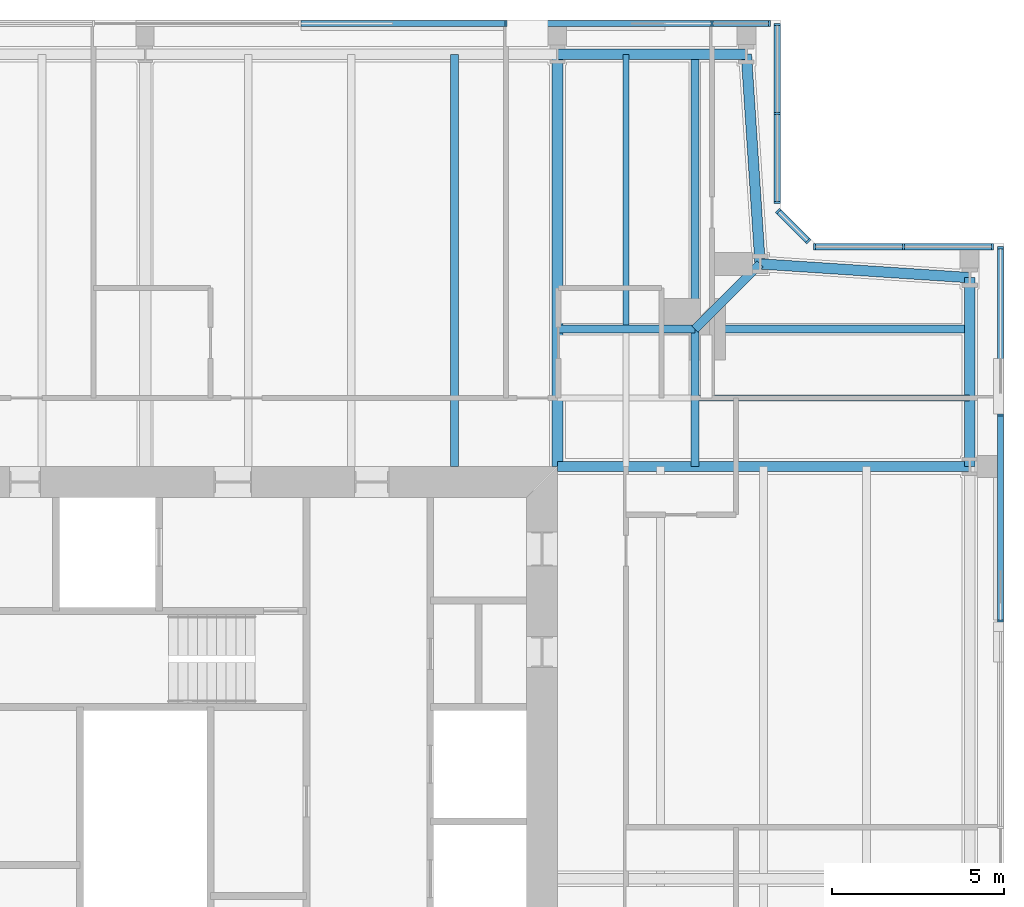
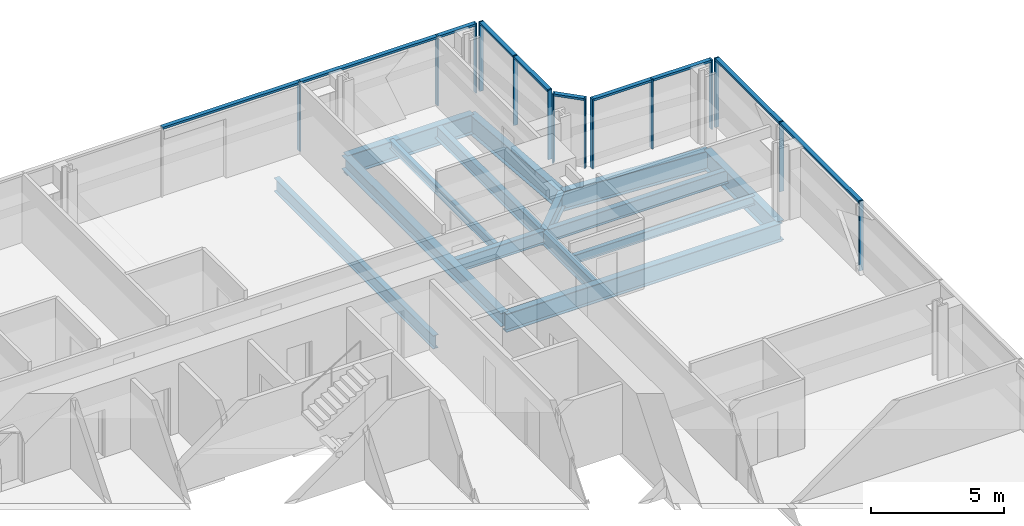
# One storey, part 9 of 18: 24 members, 14 beams, 5 elements without a shape of their own.
"""IFC4 building model written with IfcOpenShell, lengths in metres."""

from ifc_helpers import new_model, si_unit, direction, frame, origin, origin_2d, place, context, subcontext, project, spatial, rectangle, i_section, extrude, material, material_profile, profile_set, type_object, element, aggregate, save


model = new_model("IFC4")

# Units and contexts
model_context = context("Model", 3, precision=1e-05, world=origin(), true_north=direction((0.0, 1.0)))
body_context = subcontext(model_context, "Body", "Model", "MODEL_VIEW")
ifc_project = project(units=[si_unit("LENGTHUNIT", "METRE"), si_unit("AREAUNIT", "SQUARE_METRE"), si_unit("VOLUMEUNIT", "CUBIC_METRE"), si_unit("PLANEANGLEUNIT", "RADIAN"), si_unit("MASSUNIT", "GRAM", prefix="KILO")], contexts=[model_context])

# Site, building, storey
site_placement = place(None, origin())
site = spatial("IfcSite", under=ifc_project, at=site_placement, CompositionType="ELEMENT")
building_placement = place(site_placement, origin())
building = spatial("IfcBuilding", under=site, at=building_placement, Name="Fenwick Lantern Interchange", CompositionType="ELEMENT")
storey_placement = place(building_placement, frame((0.0, 0.0, 293.39990234375)))
storey = spatial("IfcBuildingStorey", under=building, at=storey_placement, Name="L71", CompositionType="ELEMENT", Elevation=293.39990234375)

# Beams
ifc_material_1 = material(Name="Steel ASTM A992 Grade 50", Category="steel")
ifc_material_profile_1 = material_profile(ifc_material_1, i_section(OverallWidth=0.3046875, OverallDepth=0.911865234375, WebThickness=0.015869140625, FlangeThickness=0.02392578125, at=origin_2d()), Name="W36X150")
ifc_profile_set_1 = profile_set([ifc_material_profile_1], Name="Steel ASTM A992 Grade 50")
beam_type_1 = type_object("IfcBeamType", Name="EDGE BEAM W36X150", PredefinedType="SPANDREL", material=ifc_profile_set_1)
beam_1_placement = place(storey_placement, frame((49.0, 37.0, -0.605712890625), z_axis=(0.0, 1.0, 0.0), x_axis=(-1.0, 0.0, 0.0)))
element("IfcBeam", 1, at=beam_1_placement, inside=storey, type_object=beam_type_1, Name="L71/FR/E/EB4", PredefinedType="SPANDREL", context=body_context, shape_type="SweptSolid", body=[
    extrude(i_section(OverallWidth=0.3046875, OverallDepth=0.911865234375, WebThickness=0.015869140625, FlangeThickness=0.02392578125, at=origin_2d()), origin(), (0.0, 0.0, 1.0), 5.5),
])
for number, where, z_axis, x_axis, name in (
    (2, (49.0, 42.5, -0.605712890625), (-0.997858060337, 0.065416293237, 0.0), (-0.065416293237, -0.997858060337, 0.0), "L71/FR/E/EBR1"),
    (3, (42.89990234375, 42.89990234375, -0.605712890625), (-0.065416293237, 0.997858060337, 0.0), (-0.997858060337, -0.065416293237, 0.0), "L71/FR/E/EBR2"),
):
    element("IfcBeam", number, at=place(storey_placement, frame(where, z_axis=z_axis, x_axis=x_axis)), inside=storey, type_object=beam_type_1, Name=name, PredefinedType="SPANDREL", context=body_context, shape_type="SweptSolid", body=[
        extrude(i_section(OverallWidth=0.3046875, OverallDepth=0.911865234375, WebThickness=0.015869140625, FlangeThickness=0.02392578125, at=origin_2d()), origin(), (0.0, 0.0, 1.0), 6.11328125),
    ])
beam_2_placement = place(storey_placement, frame((42.5, 49.0, -0.605712890625), z_axis=(-1.0, 0.0, 0.0), x_axis=(0.0, -1.0, 0.0)))
element("IfcBeam", 4, at=beam_2_placement, inside=storey, type_object=beam_type_1, Name="L71/FR/N/EB1", PredefinedType="SPANDREL", context=body_context, shape_type="SweptSolid", body=[
    extrude(i_section(OverallWidth=0.3046875, OverallDepth=0.911865234375, WebThickness=0.015869140625, FlangeThickness=0.02392578125, at=origin_2d()), origin(), (0.0, 0.0, 1.0), 5.5),
])
ifc_material_profile_2 = material_profile(ifc_material_1, i_section(OverallWidth=0.22900390625, OverallDepth=0.612060546875, WebThickness=0.011962890625, FlangeThickness=0.01953125, at=origin_2d()), Name="W24X84")
ifc_profile_set_2 = profile_set([ifc_material_profile_2], Name="Steel ASTM A992 Grade 50")
beam_type_2 = type_object("IfcBeamType", Name="FLOOR BEAM W24X84", PredefinedType="BEAM", material=ifc_profile_set_2)
beam_3_placement = place(storey_placement, frame((34.0, 49.0, -0.4560546875), z_axis=(0.0, -1.0, 0.0), x_axis=(1.0, 0.0, 0.0)))
element("IfcBeam", 5, at=beam_3_placement, inside=storey, type_object=beam_type_2, Name="L71/FR/N/R02", PredefinedType="BEAM", context=body_context, shape_type="SweptSolid", body=[
    extrude(i_section(OverallWidth=0.22900390625, OverallDepth=0.612060546875, WebThickness=0.011962890625, FlangeThickness=0.01953125, at=origin_2d()), origin(), (0.0, 0.0, 1.0), 12.0),
])

# Curtain wall, members
ifc_material_2 = material(Name="Aluminium curtain wall frame", Category="aluminium")
curtain_wall_type = type_object("IfcCurtainWallType", Name="HOTEL CURTAIN WALL", PredefinedType="USERDEFINED", material=ifc_material_2)
curtain_wall_1_placement = place(storey_placement, origin())
curtain_wall_1 = element("IfcCurtainWall", 6, at=curtain_wall_1_placement, inside=storey, type_object=curtain_wall_type, Name="Hotel curtain wall 05", ObjectType="HOTEL CURTAIN WALL", PredefinedType="USERDEFINED")
ifc_material_3 = material(Name="Aluminium extrusion", Category="aluminium")
ifc_material_profile_3 = material_profile(ifc_material_3, rectangle(XDim=0.179931640625, YDim=0.06005859375, at=origin_2d()), Name="HOTEL CURTAIN WALL MULLION 60 X 180")
ifc_profile_set_3 = profile_set([ifc_material_profile_3], Name="Aluminium extrusion")
member_type_1 = type_object("IfcMemberType", Name="HOTEL CURTAIN WALL MULLION 60 X 180", PredefinedType="MULLION", material=ifc_profile_set_3)
member_1_placement = place(storey_placement, frame((49.89990234375, 32.5, 0.0), z_axis=(0.0, 0.0, 1.0), x_axis=(-1.0, 0.0, 0.0)))
member_1 = element("IfcMember", 7, at=member_1_placement, type_object=member_type_1, Name="L71/CW/05/M05", PredefinedType="MULLION", context=body_context, shape_type="SweptSolid", body=[
    extrude(rectangle(XDim=0.179931640625, YDim=0.06005859375, at=origin_2d()), origin(), (0.0, 0.0, 1.0), 3.2001953125),
])
member_2_placement = place(storey_placement, frame((49.89990234375, 38.5, 0.0), z_axis=(0.0, 0.0, 1.0), x_axis=(-1.0, 0.0, 0.0)))
member_2 = element("IfcMember", 8, at=member_2_placement, type_object=member_type_1, Name="L71/CW/05/M06", PredefinedType="MULLION", context=body_context, shape_type="SweptSolid", body=[
    extrude(rectangle(XDim=0.179931640625, YDim=0.06005859375, at=origin_2d()), origin(), (0.0, 0.0, 1.0), 3.2001953125),
])
member_3_placement = place(storey_placement, frame((49.89990234375, 43.3701171875, 0.0), z_axis=(0.0, 0.0, 1.0), x_axis=(-1.0, 0.0, 0.0)))
member_3 = element("IfcMember", 9, at=member_3_placement, type_object=member_type_1, Name="L71/CW/05/M07", PredefinedType="MULLION", context=body_context, shape_type="SweptSolid", body=[
    extrude(rectangle(XDim=0.179931640625, YDim=0.06005859375, at=origin_2d()), origin(), (0.0, 0.0, 1.0), 3.2001953125),
])

curtain_wall_2_placement = place(storey_placement, origin())
curtain_wall_2 = element("IfcCurtainWall", 10, at=curtain_wall_2_placement, inside=storey, type_object=curtain_wall_type, Name="Hotel curtain wall 06", ObjectType="HOTEL CURTAIN WALL", PredefinedType="USERDEFINED")
member_4_placement = place(storey_placement, frame((49.669921875, 43.39990234375, 0.0), z_axis=(0.0, 0.0, 1.0), x_axis=(0.0, -1.0, 0.0)))
member_4 = element("IfcMember", 11, at=member_4_placement, type_object=member_type_1, Name="L71/CW/06/M00", PredefinedType="MULLION", context=body_context, shape_type="SweptSolid", body=[
    extrude(rectangle(XDim=0.179931640625, YDim=0.06005859375, at=origin_2d()), origin(), (0.0, 0.0, 1.0), 3.2001953125),
])
member_5_placement = place(storey_placement, frame((47.079345703125, 43.39990234375, 0.0), z_axis=(0.0, 0.0, 1.0), x_axis=(0.0, -1.0, 0.0)))
member_5 = element("IfcMember", 12, at=member_5_placement, type_object=member_type_1, Name="L71/CW/06/M01", PredefinedType="MULLION", context=body_context, shape_type="SweptSolid", body=[
    extrude(rectangle(XDim=0.179931640625, YDim=0.06005859375, at=origin_2d()), origin(), (0.0, 0.0, 1.0), 3.2001953125),
])
member_6_placement = place(storey_placement, frame((44.488525390625, 43.39990234375, 0.0), z_axis=(0.0, 0.0, 1.0), x_axis=(0.0, -1.0, 0.0)))
member_6 = element("IfcMember", 13, at=member_6_placement, type_object=member_type_1, Name="L71/CW/06/M02", PredefinedType="MULLION", context=body_context, shape_type="SweptSolid", body=[
    extrude(rectangle(XDim=0.179931640625, YDim=0.06005859375, at=origin_2d()), origin(), (0.0, 0.0, 1.0), 3.2001953125),
])

curtain_wall_3_placement = place(storey_placement, origin())
curtain_wall_3 = element("IfcCurtainWall", 14, at=curtain_wall_3_placement, inside=storey, type_object=curtain_wall_type, Name="Hotel curtain wall 07", ObjectType="HOTEL CURTAIN WALL", PredefinedType="USERDEFINED")
member_7_placement = place(storey_placement, frame((44.2958984375, 43.562744140625, 0.0), z_axis=(0.0, 0.0, 1.0), x_axis=(-0.707106781187, -0.707106781187, 0.0)))
member_7 = element("IfcMember", 15, at=member_7_placement, type_object=member_type_1, Name="L71/CW/07/M00", PredefinedType="MULLION", context=body_context, shape_type="SweptSolid", body=[
    extrude(rectangle(XDim=0.179931640625, YDim=0.06005859375, at=origin_2d()), origin(), (0.0, 0.0, 1.0), 3.2001953125),
])
member_8_placement = place(storey_placement, frame((43.421142578125, 44.437255859375, 0.0), z_axis=(0.0, 0.0, 1.0), x_axis=(-0.707106781187, -0.707106781187, 0.0)))
member_8 = element("IfcMember", 16, at=member_8_placement, type_object=member_type_1, Name="L71/CW/07/M01", PredefinedType="MULLION", context=body_context, shape_type="SweptSolid", body=[
    extrude(rectangle(XDim=0.179931640625, YDim=0.06005859375, at=origin_2d()), origin(), (0.0, 0.0, 1.0), 3.2001953125),
])

curtain_wall_4_placement = place(storey_placement, origin())
curtain_wall_4 = element("IfcCurtainWall", 17, at=curtain_wall_4_placement, inside=storey, type_object=curtain_wall_type, Name="Hotel curtain wall 08", ObjectType="HOTEL CURTAIN WALL", PredefinedType="USERDEFINED")
member_9_placement = place(storey_placement, frame((43.39990234375, 44.6884765625, 0.0), z_axis=(0.0, 0.0, 1.0), x_axis=(-1.0, 0.0, 0.0)))
member_9 = element("IfcMember", 18, at=member_9_placement, type_object=member_type_1, Name="L71/CW/08/M00", PredefinedType="MULLION", context=body_context, shape_type="SweptSolid", body=[
    extrude(rectangle(XDim=0.179931640625, YDim=0.06005859375, at=origin_2d()), origin(), (0.0, 0.0, 1.0), 3.2001953125),
])
member_10_placement = place(storey_placement, frame((43.39990234375, 47.279296875, 0.0), z_axis=(0.0, 0.0, 1.0), x_axis=(-1.0, 0.0, 0.0)))
member_10 = element("IfcMember", 19, at=member_10_placement, type_object=member_type_1, Name="L71/CW/08/M01", PredefinedType="MULLION", context=body_context, shape_type="SweptSolid", body=[
    extrude(rectangle(XDim=0.179931640625, YDim=0.06005859375, at=origin_2d()), origin(), (0.0, 0.0, 1.0), 3.2001953125),
])
member_11_placement = place(storey_placement, frame((43.39990234375, 49.8701171875, 0.0), z_axis=(0.0, 0.0, 1.0), x_axis=(-1.0, 0.0, 0.0)))
member_11 = element("IfcMember", 20, at=member_11_placement, type_object=member_type_1, Name="L71/CW/08/M02", PredefinedType="MULLION", context=body_context, shape_type="SweptSolid", body=[
    extrude(rectangle(XDim=0.179931640625, YDim=0.06005859375, at=origin_2d()), origin(), (0.0, 0.0, 1.0), 3.2001953125),
])

curtain_wall_5_placement = place(storey_placement, origin())
curtain_wall_5 = element("IfcCurtainWall", 21, at=curtain_wall_5_placement, inside=storey, type_object=curtain_wall_type, Name="Hotel curtain wall 09", ObjectType="HOTEL CURTAIN WALL", PredefinedType="USERDEFINED")
member_12_placement = place(storey_placement, frame((43.169921875, 49.89990234375, 0.0), z_axis=(0.0, 0.0, 1.0), x_axis=(0.0, -1.0, 0.0)))
member_12 = element("IfcMember", 22, at=member_12_placement, type_object=member_type_1, Name="L71/CW/09/M00", PredefinedType="MULLION", context=body_context, shape_type="SweptSolid", body=[
    extrude(rectangle(XDim=0.179931640625, YDim=0.06005859375, at=origin_2d()), origin(), (0.0, 0.0, 1.0), 3.2001953125),
])
member_13_placement = place(storey_placement, frame((41.5, 49.89990234375, 0.0), z_axis=(0.0, 0.0, 1.0), x_axis=(0.0, -1.0, 0.0)))
member_13 = element("IfcMember", 23, at=member_13_placement, type_object=member_type_1, Name="L71/CW/09/M01", PredefinedType="MULLION", context=body_context, shape_type="SweptSolid", body=[
    extrude(rectangle(XDim=0.179931640625, YDim=0.06005859375, at=origin_2d()), origin(), (0.0, 0.0, 1.0), 3.2001953125),
])
member_14_placement = place(storey_placement, frame((35.5, 49.89990234375, 0.0), z_axis=(0.0, 0.0, 1.0), x_axis=(0.0, -1.0, 0.0)))
member_14 = element("IfcMember", 24, at=member_14_placement, type_object=member_type_1, Name="L71/CW/09/M02", PredefinedType="MULLION", context=body_context, shape_type="SweptSolid", body=[
    extrude(rectangle(XDim=0.179931640625, YDim=0.06005859375, at=origin_2d()), origin(), (0.0, 0.0, 1.0), 3.2001953125),
])

# Member
ifc_material_profile_4 = material_profile(ifc_material_3, rectangle(XDim=0.179931640625, YDim=0.10009765625, at=origin_2d()), Name="HOTEL CURTAIN WALL TRANSOM 100 X 180")
ifc_profile_set_4 = profile_set([ifc_material_profile_4], Name="Aluminium extrusion")
member_type_2 = type_object("IfcMemberType", Name="HOTEL CURTAIN WALL TRANSOM 100 X 180", PredefinedType="MULLION", material=ifc_profile_set_4)
member_15_placement = place(storey_placement, frame((49.89990234375, 32.530029296875, 3.150146484375), z_axis=(0.0, 1.0, 0.0), x_axis=(-1.0, 0.0, 0.0)))
member_15 = element("IfcMember", 25, at=member_15_placement, type_object=member_type_2, Name="L71/CW/05/T05", PredefinedType="MULLION", context=body_context, shape_type="SweptSolid", body=[
    extrude(rectangle(XDim=0.179931640625, YDim=0.10009765625, at=origin_2d()), origin(), (0.0, 0.0, 1.0), 5.93994140625),
])

member_16_placement = place(storey_placement, frame((49.89990234375, 38.530029296875, 3.150146484375), z_axis=(0.0, 1.0, 0.0), x_axis=(-1.0, 0.0, 0.0)))
member_16 = element("IfcMember", 26, at=member_16_placement, type_object=member_type_2, Name="L71/CW/05/T06", PredefinedType="MULLION", context=body_context, shape_type="SweptSolid", body=[
    extrude(rectangle(XDim=0.179931640625, YDim=0.10009765625, at=origin_2d()), origin(), (0.0, 0.0, 1.0), 4.81005859375),
])

aggregate(curtain_wall_1, [member_1, member_2, member_3, member_15, member_16])

member_17_placement = place(storey_placement, frame((49.639892578125, 43.39990234375, 3.150146484375), z_axis=(-1.0, 0.0, 0.0), x_axis=(0.0, -1.0, 0.0)))
member_17 = element("IfcMember", 27, at=member_17_placement, type_object=member_type_2, Name="L71/CW/06/T00", PredefinedType="MULLION", context=body_context, shape_type="SweptSolid", body=[
    extrude(rectangle(XDim=0.179931640625, YDim=0.10009765625, at=origin_2d()), origin(), (0.0, 0.0, 1.0), 2.530517578125),
])

member_18_placement = place(storey_placement, frame((47.04931640625, 43.39990234375, 3.150146484375), z_axis=(-1.0, 0.0, 0.0), x_axis=(0.0, -1.0, 0.0)))
member_18 = element("IfcMember", 28, at=member_18_placement, type_object=member_type_2, Name="L71/CW/06/T01", PredefinedType="MULLION", context=body_context, shape_type="SweptSolid", body=[
    extrude(rectangle(XDim=0.179931640625, YDim=0.10009765625, at=origin_2d()), origin(), (0.0, 0.0, 1.0), 2.53076171875),
])

aggregate(curtain_wall_2, [member_4, member_5, member_6, member_17, member_18])

member_19_placement = place(storey_placement, frame((44.274658203125, 43.583740234375, 3.150146484375), z_axis=(-0.707003077033, 0.707210470133, 0.0), x_axis=(-0.707210470133, -0.707003077033, 0.0)))
member_19 = element("IfcMember", 29, at=member_19_placement, type_object=member_type_2, Name="L71/CW/07/T00", PredefinedType="MULLION", context=body_context, shape_type="SweptSolid", body=[
    extrude(rectangle(XDim=0.179931640625, YDim=0.10009765625, at=origin_2d()), origin(), (0.0, 0.0, 1.0), 1.17724609375),
])

aggregate(curtain_wall_3, [member_7, member_8, member_19])

member_20_placement = place(storey_placement, frame((43.39990234375, 44.718505859375, 3.150146484375), z_axis=(0.0, 1.0, 0.0), x_axis=(-1.0, 0.0, 0.0)))
member_20 = element("IfcMember", 30, at=member_20_placement, type_object=member_type_2, Name="L71/CW/08/T00", PredefinedType="MULLION", context=body_context, shape_type="SweptSolid", body=[
    extrude(rectangle(XDim=0.179931640625, YDim=0.10009765625, at=origin_2d()), origin(), (0.0, 0.0, 1.0), 2.53076171875),
])

member_21_placement = place(storey_placement, frame((43.39990234375, 47.309326171875, 3.150146484375), z_axis=(0.0, 1.0, 0.0), x_axis=(-1.0, 0.0, 0.0)))
member_21 = element("IfcMember", 31, at=member_21_placement, type_object=member_type_2, Name="L71/CW/08/T01", PredefinedType="MULLION", context=body_context, shape_type="SweptSolid", body=[
    extrude(rectangle(XDim=0.179931640625, YDim=0.10009765625, at=origin_2d()), origin(), (0.0, 0.0, 1.0), 2.53076171875),
])

aggregate(curtain_wall_4, [member_9, member_10, member_11, member_20, member_21])

member_22_placement = place(storey_placement, frame((43.139892578125, 49.89990234375, 3.150146484375), z_axis=(-1.0, 0.0, 0.0), x_axis=(0.0, -1.0, 0.0)))
member_22 = element("IfcMember", 32, at=member_22_placement, type_object=member_type_2, Name="L71/CW/09/T00", PredefinedType="MULLION", context=body_context, shape_type="SweptSolid", body=[
    extrude(rectangle(XDim=0.179931640625, YDim=0.10009765625, at=origin_2d()), origin(), (0.0, 0.0, 1.0), 1.60986328125),
])

member_23_placement = place(storey_placement, frame((41.469970703125, 49.89990234375, 3.150146484375), z_axis=(-1.0, 0.0, 0.0), x_axis=(0.0, -1.0, 0.0)))
member_23 = element("IfcMember", 33, at=member_23_placement, type_object=member_type_2, Name="L71/CW/09/T01", PredefinedType="MULLION", context=body_context, shape_type="SweptSolid", body=[
    extrude(rectangle(XDim=0.179931640625, YDim=0.10009765625, at=origin_2d()), origin(), (0.0, 0.0, 1.0), 5.93994140625),
])

member_24_placement = place(storey_placement, frame((35.469970703125, 49.89990234375, 3.150146484375), z_axis=(-1.0, 0.0, 0.0), x_axis=(0.0, -1.0, 0.0)))
member_24 = element("IfcMember", 34, at=member_24_placement, type_object=member_type_2, Name="L71/CW/09/T02", PredefinedType="MULLION", context=body_context, shape_type="SweptSolid", body=[
    extrude(rectangle(XDim=0.179931640625, YDim=0.10009765625, at=origin_2d()), origin(), (0.0, 0.0, 1.0), 5.93994140625),
])

aggregate(curtain_wall_5, [member_12, member_13, member_14, member_22, member_23, member_24])

# Beams
ifc_material_profile_5 = material_profile(ifc_material_1, i_section(OverallWidth=0.177734375, OverallDepth=0.406494140625, WebThickness=0.0078125, FlangeThickness=0.012939453125, at=origin_2d()), Name="W16X40")
ifc_profile_set_5 = profile_set([ifc_material_profile_5], Name="Steel ASTM A992 Grade 50")
beam_type_3 = type_object("IfcBeamType", Name="INFILL BEAM W16X40", PredefinedType="JOIST", material=ifc_profile_set_5)
for number, where, z_axis, x_axis, name in (
    (35, (39.0, 49.0, -0.35302734375), (0.0, -1.0, 0.0), (1.0, 0.0, 0.0), "L71/FR/N/J1"),
    (36, (49.0, 39.0, -0.35302734375), (-1.0, 0.0, 0.0), (0.0, -1.0, 0.0), "L71/FR/N/J3"),
):
    element("IfcBeam", number, at=place(storey_placement, frame(where, z_axis=z_axis, x_axis=x_axis)), inside=storey, type_object=beam_type_3, Name=name, PredefinedType="JOIST", context=body_context, shape_type="SweptSolid", body=[
        extrude(i_section(OverallWidth=0.177734375, OverallDepth=0.406494140625, WebThickness=0.0078125, FlangeThickness=0.012939453125, at=origin_2d()), origin(), (0.0, 0.0, 1.0), 7.885498046875),
    ])
ifc_material_profile_6 = material_profile(ifc_material_1, i_section(OverallWidth=0.22900390625, OverallDepth=0.612060546875, WebThickness=0.011962890625, FlangeThickness=0.01953125, at=origin_2d()), Name="W24X84")
ifc_profile_set_6 = profile_set([ifc_material_profile_6], Name="Steel ASTM A992 Grade 50")
beam_type_4 = type_object("IfcBeamType", Name="MEGA COLUMN BEAM W24X84", PredefinedType="BEAM", material=ifc_profile_set_6)
for number, where, z_axis, x_axis, name in (
    (37, (41.0, 41.0, -0.4560546875), (0.0, 1.0, 0.0), (-1.0, 0.0, 0.0), "L71/FR/N/MB1"),
    (38, (41.0, 41.0, -0.4560546875), (1.0, 0.0, 0.0), (0.0, 1.0, 0.0), "L71/FR/N/MB2"),
):
    element("IfcBeam", number, at=place(storey_placement, frame(where, z_axis=z_axis, x_axis=x_axis)), inside=storey, type_object=beam_type_4, Name=name, PredefinedType="BEAM", context=body_context, shape_type="SweptSolid", body=[
        extrude(i_section(OverallWidth=0.22900390625, OverallDepth=0.612060546875, WebThickness=0.011962890625, FlangeThickness=0.01953125, at=origin_2d()), origin(), (0.0, 0.0, 1.0), 8.0),
    ])
for number, where, z_axis, x_axis, name in (
    (39, (41.0, 41.0, -0.4560546875), (-1.0, 0.0, 0.0), (0.0, -1.0, 0.0), "L71/FR/N/MB3"),
    (40, (41.0, 41.0, -0.4560546875), (0.0, -1.0, 0.0), (1.0, 0.0, 0.0), "L71/FR/N/MB4"),
):
    element("IfcBeam", number, at=place(storey_placement, frame(where, z_axis=z_axis, x_axis=x_axis)), inside=storey, type_object=beam_type_4, Name=name, PredefinedType="BEAM", context=body_context, shape_type="SweptSolid", body=[
        extrude(i_section(OverallWidth=0.22900390625, OverallDepth=0.612060546875, WebThickness=0.011962890625, FlangeThickness=0.01953125, at=origin_2d()), origin(), (0.0, 0.0, 1.0), 4.0),
    ])
ifc_material_profile_7 = material_profile(ifc_material_1, i_section(OverallWidth=0.32763671875, OverallDepth=0.622314453125, WebThickness=0.015380859375, FlangeThickness=0.0244140625, at=origin_2d()), Name="W24X131")
ifc_profile_set_7 = profile_set([ifc_material_profile_7], Name="Steel ASTM A992 Grade 50")
beam_type_5 = type_object("IfcBeamType", Name="MOMENT-CONNECTED GIRDER W24X131", PredefinedType="BEAM", material=ifc_profile_set_7)
beam_4_placement = place(storey_placement, frame((37.0, 49.0, -0.4609375), z_axis=(0.0, -1.0, 0.0), x_axis=(1.0, 0.0, 0.0)))
element("IfcBeam", 41, at=beam_4_placement, inside=storey, type_object=beam_type_5, Name="L71/FR/N/R01", PredefinedType="BEAM", context=body_context, shape_type="SweptSolid", body=[
    extrude(i_section(OverallWidth=0.32763671875, OverallDepth=0.622314453125, WebThickness=0.015380859375, FlangeThickness=0.0244140625, at=origin_2d()), origin(), (0.0, 0.0, 1.0), 12.0),
])
ifc_material_profile_8 = material_profile(ifc_material_1, i_section(OverallWidth=0.2919921875, OverallDepth=0.845703125, WebThickness=0.015380859375, FlangeThickness=0.0244140625, at=origin_2d()), Name="W33X141")
ifc_profile_set_8 = profile_set([ifc_material_profile_8], Name="Steel ASTM A992 Grade 50")
beam_type_6 = type_object("IfcBeamType", Name="MOMENT-CONNECTED GIRDER W33X141", PredefinedType="BEAM", material=ifc_profile_set_8)
beam_5_placement = place(storey_placement, frame((49.0, 37.0, -0.57275390625), z_axis=(-1.0, 0.0, 0.0), x_axis=(0.0, -1.0, 0.0)))
element("IfcBeam", 42, at=beam_5_placement, inside=storey, type_object=beam_type_6, Name="L71/FR/E/R03", PredefinedType="BEAM", context=body_context, shape_type="SweptSolid", body=[
    extrude(i_section(OverallWidth=0.2919921875, OverallDepth=0.845703125, WebThickness=0.015380859375, FlangeThickness=0.0244140625, at=origin_2d()), origin(), (0.0, 0.0, 1.0), 12.0),
])
ifc_material_profile_9 = material_profile(ifc_material_1, i_section(OverallWidth=0.2666015625, OverallDepth=0.7568359375, WebThickness=0.013916015625, FlangeThickness=0.019287109375, at=origin_2d()), Name="W30X108")
ifc_profile_set_9 = profile_set([ifc_material_profile_9], Name="Steel ASTM A992 Grade 50")
beam_type_7 = type_object("IfcBeamType", Name="NOTCH BEAM W30X108", PredefinedType="BEAM", material=ifc_profile_set_9)
beam_6_placement = place(storey_placement, frame((41.0, 41.0, -0.5283203125), z_axis=(0.707106781187, 0.707106781187, 0.0), x_axis=(-0.707106781187, 0.707106781187, 0.0)))
element("IfcBeam", 43, at=beam_6_placement, inside=storey, type_object=beam_type_7, Name="L71/FR/N/TG", PredefinedType="BEAM", context=body_context, shape_type="SweptSolid", body=[
    extrude(i_section(OverallWidth=0.2666015625, OverallDepth=0.7568359375, WebThickness=0.013916015625, FlangeThickness=0.019287109375, at=origin_2d()), origin(), (0.0, 0.0, 1.0), 2.686767578125),
])

save(model, "model.ifc")
